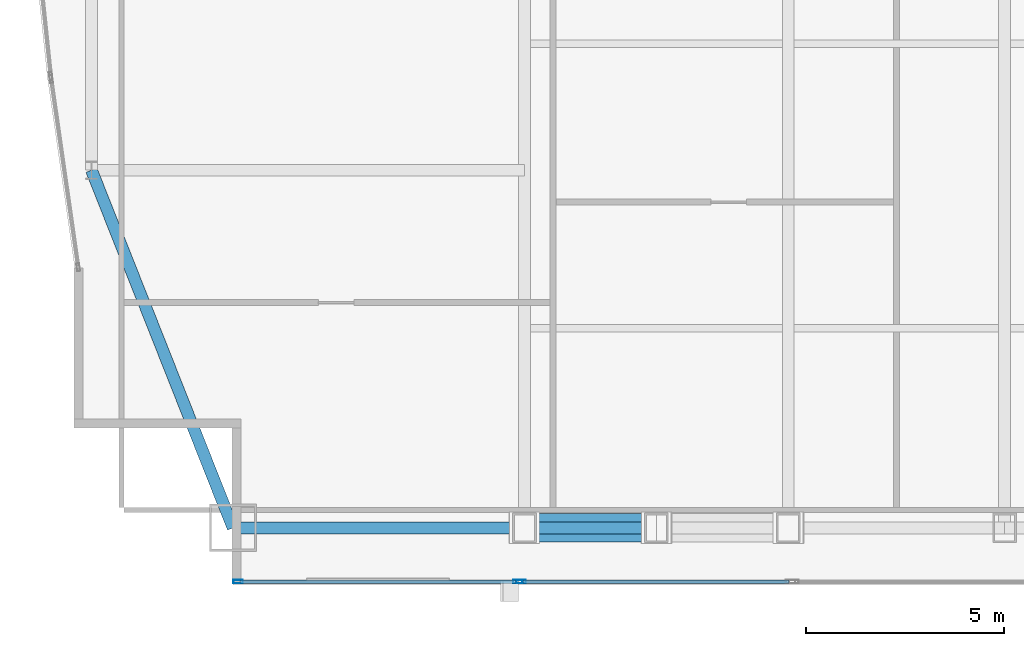
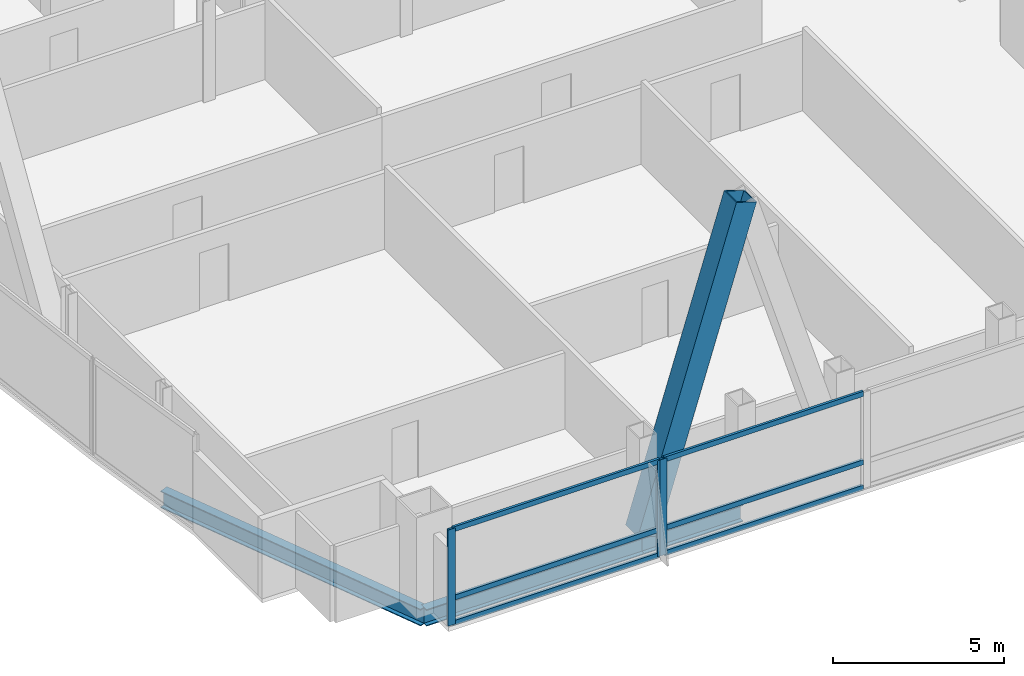
# One storey, part 5 of 32: 10 members, 3 beams, 2 elements without a shape of their own.
"""IFC4 building model written with IfcOpenShell, lengths in metres."""

from ifc_helpers import new_model, si_unit, direction, frame, origin, origin_2d, place, context, subcontext, project, spatial, hollow_rectangle, i_section, extrude, material, material_profile, profile_set, type_object, element, aggregate, save


model = new_model("IFC4")

# Units and contexts
model_context = context("Model", 3, precision=1e-05, world=origin(), true_north=direction((0.0, 1.0)))
body_context = subcontext(model_context, "Body", "Model", "MODEL_VIEW")
ifc_project = project(units=[si_unit("LENGTHUNIT", "METRE"), si_unit("AREAUNIT", "SQUARE_METRE"), si_unit("VOLUMEUNIT", "CUBIC_METRE"), si_unit("PLANEANGLEUNIT", "RADIAN"), si_unit("MASSUNIT", "GRAM", prefix="KILO")], contexts=[model_context])

# Site, building, storey
site_placement = place(None, origin())
site = spatial("IfcSite", under=ifc_project, at=site_placement, CompositionType="ELEMENT")
building_placement = place(site_placement, origin())
building = spatial("IfcBuilding", under=site, at=building_placement, Name="Khoronbel Lancet Exchange", CompositionType="ELEMENT")
storey_placement = place(building_placement, frame((0.0, 0.0, 199.39990234375)))
storey = spatial("IfcBuildingStorey", under=building, at=storey_placement, Name="L50", CompositionType="ELEMENT", Elevation=199.39990234375)

# Beams
ifc_material_1 = material(Name="Steel S355", Category="steel")
ifc_material_profile_1 = material_profile(ifc_material_1, i_section(OverallWidth=0.300048828125, OverallDepth=0.60009765625, WebThickness=0.015380859375, FlangeThickness=0.030029296875, at=origin_2d()), Name="HEB 600")
ifc_profile_set_1 = profile_set([ifc_material_profile_1], Name="Steel S355")
beam_type = type_object("IfcBeamType", Name="BM-BSP2", PredefinedType="SPANDREL", material=ifc_profile_set_1)
beam_1_placement = place(storey_placement, frame((10.85009765625, 10.14990234375, -0.4599609375), z_axis=(1.0, 0.0, 0.0), x_axis=(0.0, 1.0, 0.0)))
element("IfcBeam", 1, at=beam_1_placement, inside=storey, type_object=beam_type, Name="Level L50 perimeter spandrel beam SP01", PredefinedType="SPANDREL", context=body_context, shape_type="SweptSolid", body=[
    extrude(i_section(OverallWidth=0.300048828125, OverallDepth=0.60009765625, WebThickness=0.015380859375, FlangeThickness=0.030029296875, at=origin_2d()), origin(), (0.0, 0.0, 1.0), 7.375),
])
beam_2_placement = place(storey_placement, frame((18.22509765625, 10.14990234375, -0.4599609375), z_axis=(1.0, 0.0, 0.0), x_axis=(0.0, 1.0, 0.0)))
element("IfcBeam", 2, at=beam_2_placement, inside=storey, type_object=beam_type, Name="Level L50 perimeter spandrel beam SP02", PredefinedType="SPANDREL", context=body_context, shape_type="SweptSolid", body=[
    extrude(i_section(OverallWidth=0.300048828125, OverallDepth=0.60009765625, WebThickness=0.015380859375, FlangeThickness=0.030029296875, at=origin_2d()), origin(), (0.0, 0.0, 1.0), 3.33740234375),
])
beam_3_placement = place(storey_placement, frame((7.27001953125, 19.199951171875, -0.4599609375), z_axis=(0.367850095026, -0.92988510451, 0.0), x_axis=(0.92988510451, 0.367850095026, 0.0)))
element("IfcBeam", 3, at=beam_3_placement, inside=storey, type_object=beam_type, Name="Level L50 perimeter spandrel beam SP21", PredefinedType="SPANDREL", context=body_context, shape_type="SweptSolid", body=[
    extrude(i_section(OverallWidth=0.300048828125, OverallDepth=0.60009765625, WebThickness=0.015380859375, FlangeThickness=0.030029296875, at=origin_2d()), origin(), (0.0, 0.0, 1.0), 9.732421875),
])

# Curtain wall, members
ifc_material_2 = material(Name="Low-E Solar Control Insulating Glass", Category="glass")
curtain_wall_type = type_object("IfcCurtainWallType", Name="CW-3", PredefinedType="NOTDEFINED", material=ifc_material_2)
curtain_wall_1_placement = place(storey_placement, origin())
curtain_wall_1 = element("IfcCurtainWall", 4, at=curtain_wall_1_placement, inside=storey, type_object=curtain_wall_type, Name="Unitised curtain wall CW-L50-SWV", PredefinedType="NOTDEFINED")
ifc_material_3 = material(Name="Bronze-Anodised Aluminium 6063-T6", Category="aluminium")
ifc_material_profile_2 = material_profile(ifc_material_3, hollow_rectangle(XDim=0.0849609375, YDim=0.239990234375, WallThickness=0.006103515625, at=origin_2d()), Name="ALU MULLION 85x240")
ifc_profile_set_2 = profile_set([ifc_material_profile_2], Name="Bronze-Anodised Aluminium 6063-T6")
member_type_1 = type_object("IfcMemberType", Name="MEM-CWM1", PredefinedType="MULLION", material=ifc_profile_set_2)
member_1_placement = place(storey_placement, frame((10.982421875, 8.7900390625, 0.0), z_axis=(0.0, 0.0, 1.0), x_axis=(0.0, 1.0, 0.0)))
member_1 = element("IfcMember", 5, at=member_1_placement, type_object=member_type_1, Name="CW3 mullion 1", PredefinedType="MULLION", context=body_context, shape_type="SweptSolid", body=[
    extrude(hollow_rectangle(XDim=0.0849609375, YDim=0.239990234375, WallThickness=0.006103515625, at=origin_2d()), origin(), (0.0, 0.0, 1.0), 3.440185546875),
])
member_2_placement = place(storey_placement, frame((18.0576171875, 8.7900390625, 0.0), z_axis=(0.0, 0.0, 1.0), x_axis=(0.0, 1.0, 0.0)))
member_2 = element("IfcMember", 6, at=member_2_placement, type_object=member_type_1, Name="CW3 mullion 2", PredefinedType="MULLION", context=body_context, shape_type="SweptSolid", body=[
    extrude(hollow_rectangle(XDim=0.0849609375, YDim=0.239990234375, WallThickness=0.006103515625, at=origin_2d()), origin(), (0.0, 0.0, 1.0), 3.440185546875),
])

# Curtain wall, member
curtain_wall_2_placement = place(storey_placement, origin())
curtain_wall_2 = element("IfcCurtainWall", 7, at=curtain_wall_2_placement, inside=storey, type_object=curtain_wall_type, Name="Unitised curtain wall CW-L50-SWB", PredefinedType="NOTDEFINED")
member_3_placement = place(storey_placement, frame((18.142578125, 8.7900390625, 0.0), z_axis=(0.0, 0.0, 1.0), x_axis=(0.0, 1.0, 0.0)))
member_3 = element("IfcMember", 8, at=member_3_placement, type_object=member_type_1, Name="CW3 mullion 1", PredefinedType="MULLION", context=body_context, shape_type="SweptSolid", body=[
    extrude(hollow_rectangle(XDim=0.0849609375, YDim=0.239990234375, WallThickness=0.006103515625, at=origin_2d()), origin(), (0.0, 0.0, 1.0), 3.440185546875),
])

# Member
ifc_material_profile_3 = material_profile(ifc_material_3, hollow_rectangle(XDim=0.0849609375, YDim=0.179931640625, WallThickness=0.0048828125, at=origin_2d()), Name="ALU TRANSOM 85x180")
ifc_profile_set_3 = profile_set([ifc_material_profile_3], Name="Bronze-Anodised Aluminium 6063-T6")
member_type_2 = type_object("IfcMemberType", Name="MEM-CWT1", PredefinedType="USERDEFINED", material=ifc_profile_set_3)
member_4_placement = place(storey_placement, frame((11.02490234375, 8.7900390625, 0.04248046875), z_axis=(1.0, 0.0, 0.0), x_axis=(0.0, 1.0, 0.0)))
member_4 = element("IfcMember", 9, at=member_4_placement, type_object=member_type_2, Name="CW3 transom 1.1", ObjectType="TRANSOM", PredefinedType="USERDEFINED", context=body_context, shape_type="SweptSolid", body=[
    extrude(hollow_rectangle(XDim=0.0849609375, YDim=0.179931640625, WallThickness=0.0048828125, at=origin_2d()), origin(), (0.0, 0.0, 1.0), 6.989990234375),
])

member_5_placement = place(storey_placement, frame((11.02490234375, 8.7900390625, 0.9501953125), z_axis=(1.0, 0.0, 0.0), x_axis=(0.0, 1.0, 0.0)))
member_5 = element("IfcMember", 10, at=member_5_placement, type_object=member_type_2, Name="CW3 transom 1.2", ObjectType="TRANSOM", PredefinedType="USERDEFINED", context=body_context, shape_type="SweptSolid", body=[
    extrude(hollow_rectangle(XDim=0.0849609375, YDim=0.179931640625, WallThickness=0.0048828125, at=origin_2d()), origin(), (0.0, 0.0, 1.0), 6.989990234375),
])

member_6_placement = place(storey_placement, frame((11.02490234375, 8.7900390625, 3.397705078125), z_axis=(1.0, 0.0, 0.0), x_axis=(0.0, 1.0, 0.0)))
member_6 = element("IfcMember", 11, at=member_6_placement, type_object=member_type_2, Name="CW3 transom 1.3", ObjectType="TRANSOM", PredefinedType="USERDEFINED", context=body_context, shape_type="SweptSolid", body=[
    extrude(hollow_rectangle(XDim=0.0849609375, YDim=0.179931640625, WallThickness=0.0048828125, at=origin_2d()), origin(), (0.0, 0.0, 1.0), 6.989990234375),
])

aggregate(curtain_wall_1, [member_1, member_2, member_4, member_5, member_6])

member_7_placement = place(storey_placement, frame((18.18505859375, 8.7900390625, 0.04248046875), z_axis=(1.0, 0.0, 0.0), x_axis=(0.0, 1.0, 0.0)))
member_7 = element("IfcMember", 12, at=member_7_placement, type_object=member_type_2, Name="CW3 transom 1.1", ObjectType="TRANSOM", PredefinedType="USERDEFINED", context=body_context, shape_type="SweptSolid", body=[
    extrude(hollow_rectangle(XDim=0.0849609375, YDim=0.179931640625, WallThickness=0.0048828125, at=origin_2d()), origin(), (0.0, 0.0, 1.0), 6.72998046875),
])

member_8_placement = place(storey_placement, frame((18.18505859375, 8.7900390625, 0.9501953125), z_axis=(1.0, 0.0, 0.0), x_axis=(0.0, 1.0, 0.0)))
member_8 = element("IfcMember", 13, at=member_8_placement, type_object=member_type_2, Name="CW3 transom 1.2", ObjectType="TRANSOM", PredefinedType="USERDEFINED", context=body_context, shape_type="SweptSolid", body=[
    extrude(hollow_rectangle(XDim=0.0849609375, YDim=0.179931640625, WallThickness=0.0048828125, at=origin_2d()), origin(), (0.0, 0.0, 1.0), 6.72998046875),
])

member_9_placement = place(storey_placement, frame((18.18505859375, 8.7900390625, 3.397705078125), z_axis=(1.0, 0.0, 0.0), x_axis=(0.0, 1.0, 0.0)))
member_9 = element("IfcMember", 14, at=member_9_placement, type_object=member_type_2, Name="CW3 transom 1.3", ObjectType="TRANSOM", PredefinedType="USERDEFINED", context=body_context, shape_type="SweptSolid", body=[
    extrude(hollow_rectangle(XDim=0.0849609375, YDim=0.179931640625, WallThickness=0.0048828125, at=origin_2d()), origin(), (0.0, 0.0, 1.0), 6.72998046875),
])

aggregate(curtain_wall_2, [member_3, member_7, member_8, member_9])

ifc_material_4 = material(Name="Steel S460", Category="steel")
ifc_material_profile_4 = material_profile(ifc_material_4, hollow_rectangle(XDim=0.719970703125, YDim=0.719970703125, WallThickness=0.050048828125, at=origin_2d()), Name="BOX 720x720x50")
ifc_profile_set_4 = profile_set([ifc_material_profile_4], Name="Steel S460")
member_type_3 = type_object("IfcMemberType", Name="MEM-MB2", PredefinedType="BRACE", material=ifc_profile_set_4)
member_10_placement = place(storey_placement, frame((18.22509765625, 10.14990234375, 0.0), z_axis=(0.295242108906, 0.0, 0.955422470496), x_axis=(0.0, 1.0, 0.0)))
element("IfcMember", 15, at=member_10_placement, inside=storey, type_object=member_type_3, Name="Perimeter lancet brace tier 17 S-W-L", PredefinedType="BRACE", context=body_context, shape_type="SweptSolid", body=[
    extrude(hollow_rectangle(XDim=0.719970703125, YDim=0.719970703125, WallThickness=0.050048828125, at=origin_2d()), origin(), (0.0, 0.0, 1.0), 11.303955078125),
])

save(model, "model.ifc")
